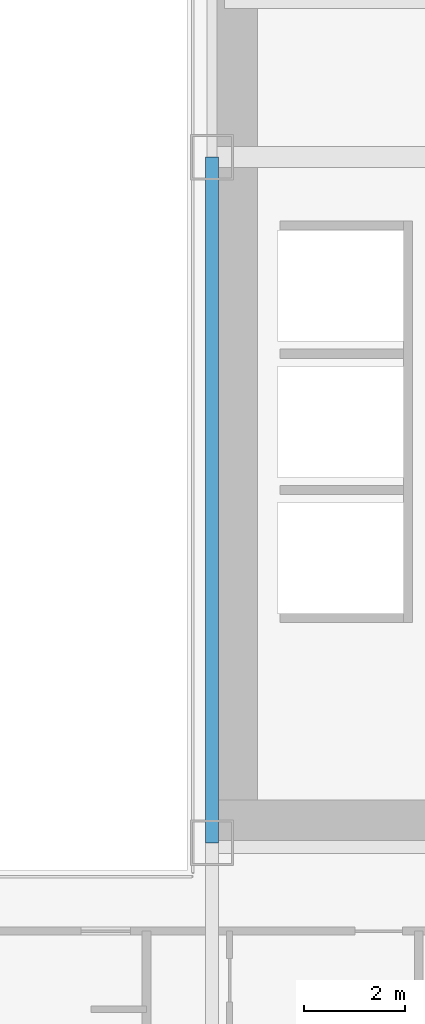
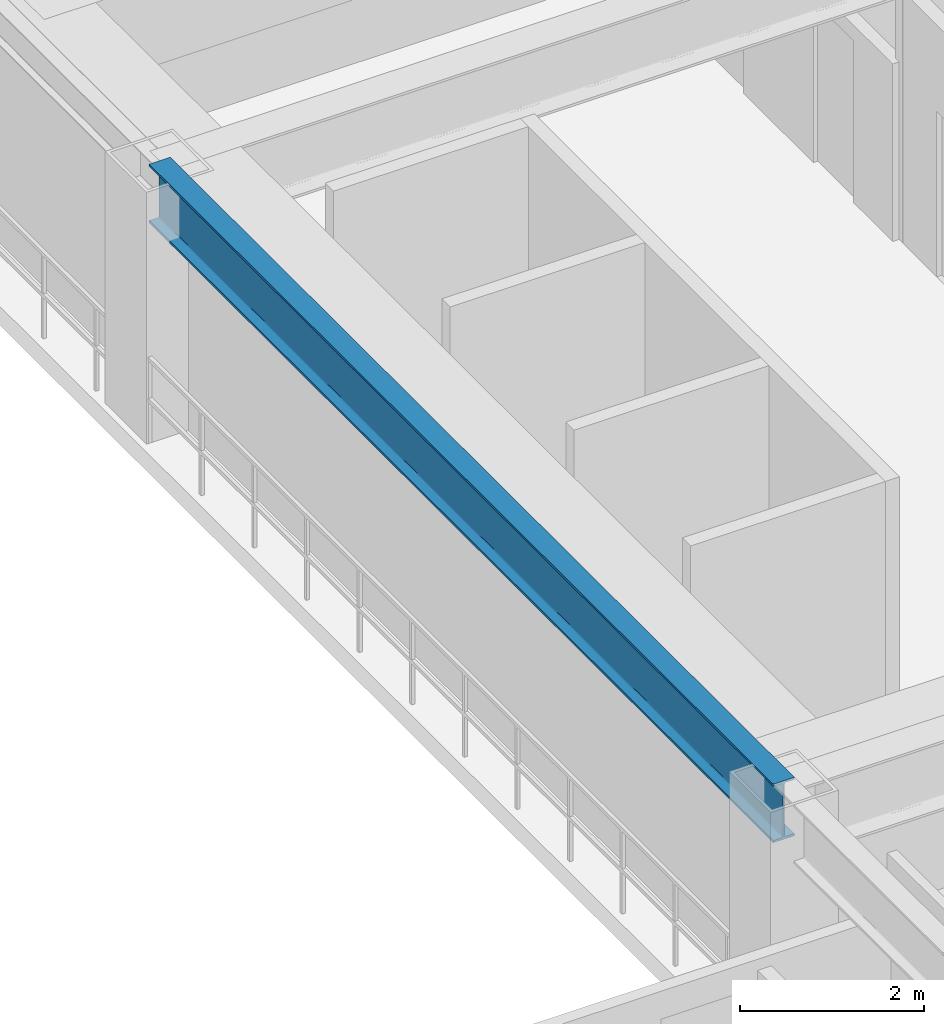
# One storey, part 12 of 35: 1 beam.
"""IFC4 building model written with IfcOpenShell, lengths in metres."""

from ifc_helpers import new_model, si_unit, direction, frame, origin, origin_2d, place, context, subcontext, project, spatial, i_section, extrude, source, transform, mapped, material, material_profile, profile_set, type_object, element, save


model = new_model("IFC4")

# Units and contexts
model_context = context("Model", 3, precision=1e-05, world=origin(), true_north=direction((0.0, 1.0)))
body_context = subcontext(model_context, "Body", "Model", "MODEL_VIEW")
ifc_project = project(units=[si_unit("LENGTHUNIT", "METRE"), si_unit("AREAUNIT", "SQUARE_METRE"), si_unit("VOLUMEUNIT", "CUBIC_METRE"), si_unit("PLANEANGLEUNIT", "RADIAN"), si_unit("MASSUNIT", "GRAM", prefix="KILO")], contexts=[model_context])

# Site, building, storey
site_placement = place(None, origin())
site = spatial("IfcSite", under=ifc_project, at=site_placement, CompositionType="ELEMENT")
building_placement = place(site_placement, origin())
building = spatial("IfcBuilding", under=site, at=building_placement, Name="Ocotamira Hotel", CompositionType="ELEMENT")
storey_placement = place(building_placement, frame((0.0, 0.0, 63.60009765625)))
storey = spatial("IfcBuildingStorey", under=building, at=storey_placement, Name="L15", CompositionType="ELEMENT", Elevation=63.60009765625)

# Beam
ifc_material = material(Name="Steel ASTM A992 Grade 50", Category="steel")
ifc_material_profile = material_profile(ifc_material, i_section(OverallWidth=0.26611328125, OverallDepth=0.779052734375, WebThickness=0.0166015625, FlangeThickness=0.030029296875, FilletRadius=0.01806640625, at=origin_2d()), Name="W30X148")
ifc_profile_set = profile_set([ifc_material_profile], Name="Steel ASTM A992 Grade 50")
beam_type = type_object("IfcBeamType", Name="BM-GIRD-W30X148", PredefinedType="BEAM", material=ifc_profile_set)
shared_shape = source(origin(), body_context, "Body", "SweptSolid", [
    extrude(i_section(OverallWidth=0.26611328125, OverallDepth=0.779052734375, WebThickness=0.0166015625, FlangeThickness=0.030029296875, FilletRadius=0.01806640625, at=origin_2d()), origin(), (0.0, 0.0, 1.0), 13.599853515625),
])
beam_placement = place(storey_placement, frame((40.5, 14.550048828125, 2.96044921875), z_axis=(0.0, 1.0, 0.0), x_axis=(-1.0, 0.0, 0.0)))
element("IfcBeam", 1, at=beam_placement, inside=storey, type_object=beam_type, Name="L15 Beam X40.5 Y14.55-28.15", PredefinedType="BEAM", context=body_context, shape_type="MappedRepresentation", body=[
    mapped(shared_shape, transform((0.0, 0.0, 0.0), scale=1.0)),
])

save(model, "model.ifc")
